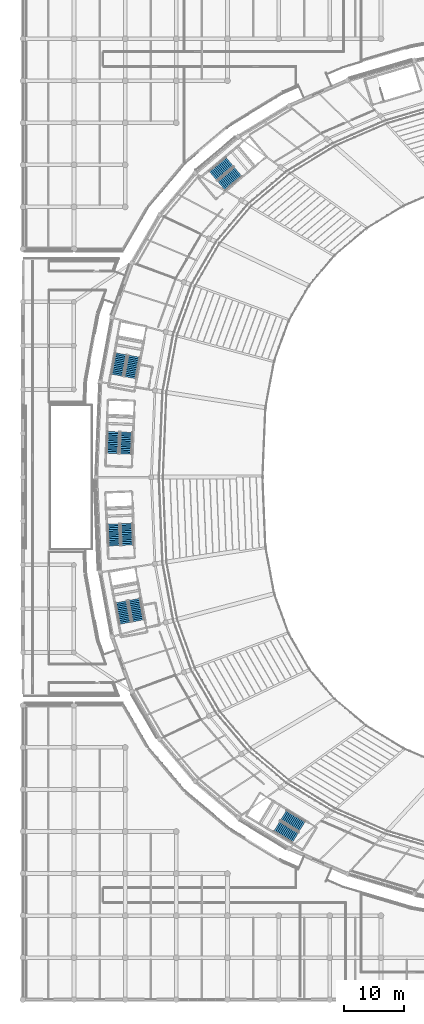
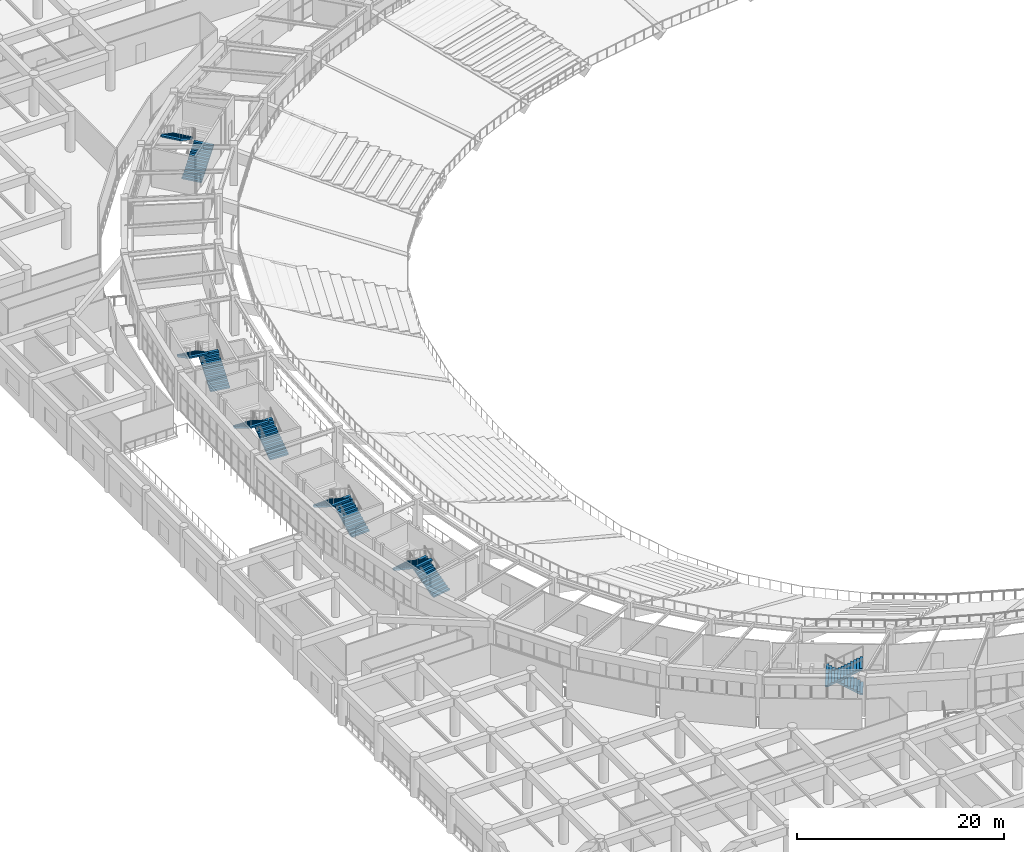
# One storey, part 109 of 137: 12 stair flights, 6 elements without a shape of their own.
"""IFC4 building model written with IfcOpenShell, lengths in metres."""

from ifc_helpers import new_model, si_unit, direction, frame, origin, place, context, subcontext, project, spatial, polyline, outline, extrude, material, type_object, element, aggregate, save


model = new_model("IFC4")

# Units and contexts
model_context = context("Model", 3, precision=1e-05, world=origin(), true_north=direction((0.0, 1.0)))
body_context = subcontext(model_context, "Body", "Model", "MODEL_VIEW")
ifc_project = project(units=[si_unit("LENGTHUNIT", "METRE"), si_unit("AREAUNIT", "SQUARE_METRE"), si_unit("VOLUMEUNIT", "CUBIC_METRE"), si_unit("PLANEANGLEUNIT", "RADIAN"), si_unit("MASSUNIT", "GRAM", prefix="KILO")], contexts=[model_context])

# Site, building, storey
site_placement = place(None, origin())
site = spatial("IfcSite", under=ifc_project, at=site_placement, CompositionType="ELEMENT")
building_placement = place(site_placement, origin())
building = spatial("IfcBuilding", under=site, at=building_placement, Name="Mphavela Belvedere Stadium", CompositionType="ELEMENT")
storey_placement = place(building_placement, frame((0.0, 0.0, 19.199951171875)))
storey = spatial("IfcBuildingStorey", under=building, at=storey_placement, Name="L04", CompositionType="ELEMENT", Elevation=19.199951171875)

# Stair, stair flights
ifc_material_1 = material(Name="Concrete C40/50", Category="concrete")
stair_type_1 = type_object("IfcStairType", Name="STR-HALF-TURN-2", PredefinedType="HALF_TURN_STAIR", material=ifc_material_1)
stair_1_placement = place(storey_placement, origin())
stair_1 = element("IfcStair", 1, at=stair_1_placement, inside=storey, type_object=stair_type_1, Name="L04 Escape stair core C05", PredefinedType="HALF_TURN_STAIR")
ifc_material_2 = material(Name="Concrete C40/50", Category="concrete")
stair_flight_type = type_object("IfcStairFlightType", Name="SFL-CORE-152", PredefinedType="STRAIGHT", material=ifc_material_2)
stair_flight_1_placement = place(storey_placement, frame((33.068115234375, 135.525146484375, 0.0), z_axis=(0.0, 0.0, 1.0), x_axis=(0.764246456939, 0.644924300253, 0.0)))
stair_flight_1 = element("IfcStairFlight", 2, at=stair_flight_1_placement, type_object=stair_flight_type, Name="ST-C05 flight 1", NumberOfRisers=13, NumberOfTreads=12, PredefinedType="STRAIGHT", RiserHeight=0.184615385, TreadLength=0.302, context=body_context, shape_type="SweptSolid", body=[
    extrude(outline(polyline([(0.0, 0.0), (0.0, 0.1845703125), (0.302001953125, 0.1845703125), (0.302001953125, 0.369140625), (0.60400390625, 0.369140625), (0.60400390625, 0.553955078125), (0.906005859375, 0.553955078125), (0.906005859375, 0.738525390625), (1.2080078125, 0.738525390625), (1.2080078125, 0.923095703125), (1.510009765625, 0.923095703125), (1.510009765625, 1.107666015625), (1.81201171875, 1.107666015625), (1.81201171875, 1.292236328125), (2.114013671875, 1.292236328125), (2.114013671875, 1.476806640625), (2.416015625, 1.476806640625), (2.416015625, 1.66162109375), (2.718017578125, 1.66162109375), (2.718017578125, 1.84619140625), (3.02001953125, 1.84619140625), (3.02001953125, 2.03076171875), (3.322021484375, 2.03076171875), (3.322021484375, 2.21533203125), (3.6240234375, 2.21533203125), (3.6240234375, 2.39990234375), (3.6240234375, 2.039794921875), (0.287353515625, 0.0), (0.0, 0.0)])), frame((0.0, 1.010009765625, 0.0), z_axis=(0.0, -1.0, 0.0), x_axis=(1.0, 0.0, 0.0)), (0.0, 0.0, 1.0), 2.02001953125),
])
stair_flight_2_placement = place(storey_placement, frame((34.438232421875, 139.520751953125, 2.400146484375), z_axis=(0.0, 0.0, 1.0), x_axis=(-0.764246456939, -0.644924300253, 0.0)))
stair_flight_2 = element("IfcStairFlight", 3, at=stair_flight_2_placement, type_object=stair_flight_type, Name="ST-C05 flight 2", NumberOfRisers=13, NumberOfTreads=12, PredefinedType="STRAIGHT", RiserHeight=0.184615385, TreadLength=0.302, context=body_context, shape_type="SweptSolid", body=[
    extrude(outline(polyline([(0.0, 0.0), (0.0, 0.1845703125), (0.302001953125, 0.1845703125), (0.302001953125, 0.369140625), (0.60400390625, 0.369140625), (0.60400390625, 0.553955078125), (0.906005859375, 0.553955078125), (0.906005859375, 0.738525390625), (1.2080078125, 0.738525390625), (1.2080078125, 0.923095703125), (1.510009765625, 0.923095703125), (1.510009765625, 1.107666015625), (1.81201171875, 1.107666015625), (1.81201171875, 1.292236328125), (2.114013671875, 1.292236328125), (2.114013671875, 1.476806640625), (2.416015625, 1.476806640625), (2.416015625, 1.66162109375), (2.718017578125, 1.66162109375), (2.718017578125, 1.84619140625), (3.02001953125, 1.84619140625), (3.02001953125, 2.03076171875), (3.322021484375, 2.03076171875), (3.322021484375, 2.21533203125), (3.6240234375, 2.21533203125), (3.6240234375, 2.39990234375), (3.6240234375, 2.039794921875), (0.287353515625, 0.0), (0.0, 0.0)])), frame((0.0, 1.010009765625, 0.0), z_axis=(0.0, -1.0, 0.0), x_axis=(1.0, 0.0, 0.0)), (0.0, 0.0, 1.0), 2.02001953125),
])
aggregate(stair_1, [stair_flight_1, stair_flight_2])

ifc_material_3 = material(Name="Concrete C40/50", Category="concrete")
stair_type_2 = type_object("IfcStairType", Name="STR-HALF-TURN-3", PredefinedType="HALF_TURN_STAIR", material=ifc_material_3)
stair_2_placement = place(storey_placement, origin())
stair_2 = element("IfcStair", 4, at=stair_2_placement, inside=storey, type_object=stair_type_2, Name="L04 Escape stair core C06", PredefinedType="HALF_TURN_STAIR")
stair_flight_3_placement = place(storey_placement, frame((17.851806640625, 103.57861328125, 0.0), z_axis=(0.0, 0.0, 1.0), x_axis=(0.182578735093, 0.983191235463, 0.0)))
stair_flight_3 = element("IfcStairFlight", 5, at=stair_flight_3_placement, type_object=stair_flight_type, Name="ST-C06 flight 1", NumberOfRisers=13, NumberOfTreads=12, PredefinedType="STRAIGHT", RiserHeight=0.184615385, TreadLength=0.302, context=body_context, shape_type="SweptSolid", body=[
    extrude(outline(polyline([(0.0, 0.0), (0.0, 0.1845703125), (0.302001953125, 0.1845703125), (0.302001953125, 0.369140625), (0.60400390625, 0.369140625), (0.60400390625, 0.553955078125), (0.906005859375, 0.553955078125), (0.906005859375, 0.738525390625), (1.2080078125, 0.738525390625), (1.2080078125, 0.923095703125), (1.510009765625, 0.923095703125), (1.510009765625, 1.107666015625), (1.81201171875, 1.107666015625), (1.81201171875, 1.292236328125), (2.114013671875, 1.292236328125), (2.114013671875, 1.476806640625), (2.416015625, 1.476806640625), (2.416015625, 1.66162109375), (2.718017578125, 1.66162109375), (2.718017578125, 1.84619140625), (3.02001953125, 1.84619140625), (3.02001953125, 2.03076171875), (3.322021484375, 2.03076171875), (3.322021484375, 2.21533203125), (3.6240234375, 2.21533203125), (3.6240234375, 2.39990234375), (3.6240234375, 2.039794921875), (0.287353515625, 0.0), (0.0, 0.0)])), frame((0.0, 1.010009765625, 0.0), z_axis=(0.0, -1.0, 0.0), x_axis=(1.0, 0.0, 0.0)), (0.0, 0.0, 1.0), 2.02001953125),
])
stair_flight_4_placement = place(storey_placement, frame((16.3798828125, 107.537841796875, 2.400146484375), z_axis=(0.0, 0.0, 1.0), x_axis=(-0.182578735093, -0.983191235463, 0.0)))
stair_flight_4 = element("IfcStairFlight", 6, at=stair_flight_4_placement, type_object=stair_flight_type, Name="ST-C06 flight 2", NumberOfRisers=13, NumberOfTreads=12, PredefinedType="STRAIGHT", RiserHeight=0.184615385, TreadLength=0.302, context=body_context, shape_type="SweptSolid", body=[
    extrude(outline(polyline([(0.0, 0.0), (0.0, 0.1845703125), (0.302001953125, 0.1845703125), (0.302001953125, 0.369140625), (0.60400390625, 0.369140625), (0.60400390625, 0.553955078125), (0.906005859375, 0.553955078125), (0.906005859375, 0.738525390625), (1.2080078125, 0.738525390625), (1.2080078125, 0.923095703125), (1.510009765625, 0.923095703125), (1.510009765625, 1.107666015625), (1.81201171875, 1.107666015625), (1.81201171875, 1.292236328125), (2.114013671875, 1.292236328125), (2.114013671875, 1.476806640625), (2.416015625, 1.476806640625), (2.416015625, 1.66162109375), (2.718017578125, 1.66162109375), (2.718017578125, 1.84619140625), (3.02001953125, 1.84619140625), (3.02001953125, 2.03076171875), (3.322021484375, 2.03076171875), (3.322021484375, 2.21533203125), (3.6240234375, 2.21533203125), (3.6240234375, 2.39990234375), (3.6240234375, 2.039794921875), (0.287353515625, 0.0), (0.0, 0.0)])), frame((0.0, 1.010009765625, 0.0), z_axis=(0.0, -1.0, 0.0), x_axis=(1.0, 0.0, 0.0)), (0.0, 0.0, 1.0), 2.02001953125),
])
aggregate(stair_2, [stair_flight_3, stair_flight_4])

ifc_material_4 = material(Name="Concrete C40/50", Category="concrete")
stair_type_3 = type_object("IfcStairType", Name="STR-HALF-TURN-1", PredefinedType="HALF_TURN_STAIR", material=ifc_material_4)
stair_3_placement = place(storey_placement, origin())
stair_3 = element("IfcStair", 7, at=stair_3_placement, inside=storey, type_object=stair_type_3, Name="L04 Escape stair core C07", PredefinedType="HALF_TURN_STAIR")
stair_flight_5_placement = place(storey_placement, frame((17.11376953125, 90.86572265625, 0.0), z_axis=(0.0, 0.0, 1.0), x_axis=(0.041875653729, 0.999122830099, 0.0)))
stair_flight_5 = element("IfcStairFlight", 8, at=stair_flight_5_placement, type_object=stair_flight_type, Name="ST-C07 flight 1", NumberOfRisers=13, NumberOfTreads=12, PredefinedType="STRAIGHT", RiserHeight=0.184615385, TreadLength=0.302, context=body_context, shape_type="SweptSolid", body=[
    extrude(outline(polyline([(0.0, 0.0), (0.0, 0.1845703125), (0.302001953125, 0.1845703125), (0.302001953125, 0.369140625), (0.60400390625, 0.369140625), (0.60400390625, 0.553955078125), (0.906005859375, 0.553955078125), (0.906005859375, 0.738525390625), (1.2080078125, 0.738525390625), (1.2080078125, 0.923095703125), (1.510009765625, 0.923095703125), (1.510009765625, 1.107666015625), (1.81201171875, 1.107666015625), (1.81201171875, 1.292236328125), (2.114013671875, 1.292236328125), (2.114013671875, 1.476806640625), (2.416015625, 1.476806640625), (2.416015625, 1.66162109375), (2.718017578125, 1.66162109375), (2.718017578125, 1.84619140625), (3.02001953125, 1.84619140625), (3.02001953125, 2.03076171875), (3.322021484375, 2.03076171875), (3.322021484375, 2.21533203125), (3.6240234375, 2.21533203125), (3.6240234375, 2.39990234375), (3.6240234375, 2.039794921875), (0.287353515625, 0.0), (0.0, 0.0)])), frame((0.0, 1.010009765625, 0.0), z_axis=(0.0, -1.0, 0.0), x_axis=(1.0, 0.0, 0.0)), (0.0, 0.0, 1.0), 2.02001953125),
])
stair_flight_6_placement = place(storey_placement, frame((15.09765625, 94.577392578125, 2.400146484375), z_axis=(0.0, 0.0, 1.0), x_axis=(-0.041875653729, -0.999122830099, 0.0)))
stair_flight_6 = element("IfcStairFlight", 9, at=stair_flight_6_placement, type_object=stair_flight_type, Name="ST-C07 flight 2", NumberOfRisers=13, NumberOfTreads=12, PredefinedType="STRAIGHT", RiserHeight=0.184615385, TreadLength=0.302, context=body_context, shape_type="SweptSolid", body=[
    extrude(outline(polyline([(0.0, 0.0), (0.0, 0.1845703125), (0.302001953125, 0.1845703125), (0.302001953125, 0.369140625), (0.60400390625, 0.369140625), (0.60400390625, 0.553955078125), (0.906005859375, 0.553955078125), (0.906005859375, 0.738525390625), (1.2080078125, 0.738525390625), (1.2080078125, 0.923095703125), (1.510009765625, 0.923095703125), (1.510009765625, 1.107666015625), (1.81201171875, 1.107666015625), (1.81201171875, 1.292236328125), (2.114013671875, 1.292236328125), (2.114013671875, 1.476806640625), (2.416015625, 1.476806640625), (2.416015625, 1.66162109375), (2.718017578125, 1.66162109375), (2.718017578125, 1.84619140625), (3.02001953125, 1.84619140625), (3.02001953125, 2.03076171875), (3.322021484375, 2.03076171875), (3.322021484375, 2.21533203125), (3.6240234375, 2.21533203125), (3.6240234375, 2.39990234375), (3.6240234375, 2.039794921875), (0.287353515625, 0.0), (0.0, 0.0)])), frame((0.0, 1.010009765625, 0.0), z_axis=(0.0, -1.0, 0.0), x_axis=(1.0, 0.0, 0.0)), (0.0, 0.0, 1.0), 2.02001953125),
])
aggregate(stair_3, [stair_flight_5, stair_flight_6])

stair_4_placement = place(storey_placement, origin())
stair_4 = element("IfcStair", 10, at=stair_4_placement, inside=storey, type_object=stair_type_1, Name="L04 Escape stair core C08", PredefinedType="HALF_TURN_STAIR")
stair_flight_7_placement = place(storey_placement, frame((17.42626953125, 75.6806640625, 0.0), z_axis=(0.0, 0.0, 1.0), x_axis=(-0.041875653729, 0.999122830099, 0.0)))
stair_flight_7 = element("IfcStairFlight", 11, at=stair_flight_7_placement, type_object=stair_flight_type, Name="ST-C08 flight 1", NumberOfRisers=13, NumberOfTreads=12, PredefinedType="STRAIGHT", RiserHeight=0.184615385, TreadLength=0.302, context=body_context, shape_type="SweptSolid", body=[
    extrude(outline(polyline([(0.0, 0.0), (0.0, 0.1845703125), (0.302001953125, 0.1845703125), (0.302001953125, 0.369140625), (0.60400390625, 0.369140625), (0.60400390625, 0.553955078125), (0.906005859375, 0.553955078125), (0.906005859375, 0.738525390625), (1.2080078125, 0.738525390625), (1.2080078125, 0.923095703125), (1.510009765625, 0.923095703125), (1.510009765625, 1.107666015625), (1.81201171875, 1.107666015625), (1.81201171875, 1.292236328125), (2.114013671875, 1.292236328125), (2.114013671875, 1.476806640625), (2.416015625, 1.476806640625), (2.416015625, 1.66162109375), (2.718017578125, 1.66162109375), (2.718017578125, 1.84619140625), (3.02001953125, 1.84619140625), (3.02001953125, 2.03076171875), (3.322021484375, 2.03076171875), (3.322021484375, 2.21533203125), (3.6240234375, 2.21533203125), (3.6240234375, 2.39990234375), (3.6240234375, 2.039794921875), (0.287353515625, 0.0), (0.0, 0.0)])), frame((0.0, 1.010009765625, 0.0), z_axis=(0.0, -1.0, 0.0), x_axis=(1.0, 0.0, 0.0)), (0.0, 0.0, 1.0), 2.02001953125),
])
stair_flight_8_placement = place(storey_placement, frame((15.1064453125, 79.210693359375, 2.400146484375), z_axis=(0.0, 0.0, 1.0), x_axis=(0.041875653729, -0.999122830099, 0.0)))
stair_flight_8 = element("IfcStairFlight", 12, at=stair_flight_8_placement, type_object=stair_flight_type, Name="ST-C08 flight 2", NumberOfRisers=13, NumberOfTreads=12, PredefinedType="STRAIGHT", RiserHeight=0.184615385, TreadLength=0.302, context=body_context, shape_type="SweptSolid", body=[
    extrude(outline(polyline([(0.0, 0.0), (0.0, 0.1845703125), (0.302001953125, 0.1845703125), (0.302001953125, 0.369140625), (0.60400390625, 0.369140625), (0.60400390625, 0.553955078125), (0.906005859375, 0.553955078125), (0.906005859375, 0.738525390625), (1.2080078125, 0.738525390625), (1.2080078125, 0.923095703125), (1.510009765625, 0.923095703125), (1.510009765625, 1.107666015625), (1.81201171875, 1.107666015625), (1.81201171875, 1.292236328125), (2.114013671875, 1.292236328125), (2.114013671875, 1.476806640625), (2.416015625, 1.476806640625), (2.416015625, 1.66162109375), (2.718017578125, 1.66162109375), (2.718017578125, 1.84619140625), (3.02001953125, 1.84619140625), (3.02001953125, 2.03076171875), (3.322021484375, 2.03076171875), (3.322021484375, 2.21533203125), (3.6240234375, 2.21533203125), (3.6240234375, 2.39990234375), (3.6240234375, 2.039794921875), (0.287353515625, 0.0), (0.0, 0.0)])), frame((0.0, 1.010009765625, 0.0), z_axis=(0.0, -1.0, 0.0), x_axis=(1.0, 0.0, 0.0)), (0.0, 0.0, 1.0), 2.02001953125),
])
aggregate(stair_4, [stair_flight_7, stair_flight_8])

stair_5_placement = place(storey_placement, origin())
stair_5 = element("IfcStair", 13, at=stair_5_placement, inside=storey, type_object=stair_type_2, Name="L04 Escape stair core C09", PredefinedType="HALF_TURN_STAIR")
stair_flight_9_placement = place(storey_placement, frame((19.2138671875, 63.0869140625, 0.0), z_axis=(0.0, 0.0, 1.0), x_axis=(-0.182578735093, 0.983191235463, 0.0)))
stair_flight_9 = element("IfcStairFlight", 14, at=stair_flight_9_placement, type_object=stair_flight_type, Name="ST-C09 flight 1", NumberOfRisers=13, NumberOfTreads=12, PredefinedType="STRAIGHT", RiserHeight=0.184615385, TreadLength=0.302, context=body_context, shape_type="SweptSolid", body=[
    extrude(outline(polyline([(0.0, 0.0), (0.0, 0.1845703125), (0.302001953125, 0.1845703125), (0.302001953125, 0.369140625), (0.60400390625, 0.369140625), (0.60400390625, 0.553955078125), (0.906005859375, 0.553955078125), (0.906005859375, 0.738525390625), (1.2080078125, 0.738525390625), (1.2080078125, 0.923095703125), (1.510009765625, 0.923095703125), (1.510009765625, 1.107666015625), (1.81201171875, 1.107666015625), (1.81201171875, 1.292236328125), (2.114013671875, 1.292236328125), (2.114013671875, 1.476806640625), (2.416015625, 1.476806640625), (2.416015625, 1.66162109375), (2.718017578125, 1.66162109375), (2.718017578125, 1.84619140625), (3.02001953125, 1.84619140625), (3.02001953125, 2.03076171875), (3.322021484375, 2.03076171875), (3.322021484375, 2.21533203125), (3.6240234375, 2.21533203125), (3.6240234375, 2.39990234375), (3.6240234375, 2.039794921875), (0.287353515625, 0.0), (0.0, 0.0)])), frame((0.0, 1.010009765625, 0.0), z_axis=(0.0, -1.0, 0.0), x_axis=(1.0, 0.0, 0.0)), (0.0, 0.0, 1.0), 2.02001953125),
])
stair_flight_10_placement = place(storey_placement, frame((16.41845703125, 66.253662109375, 2.400146484375), z_axis=(0.0, 0.0, 1.0), x_axis=(0.182578735093, -0.983191235463, 0.0)))
stair_flight_10 = element("IfcStairFlight", 15, at=stair_flight_10_placement, type_object=stair_flight_type, Name="ST-C09 flight 2", NumberOfRisers=13, NumberOfTreads=12, PredefinedType="STRAIGHT", RiserHeight=0.184615385, TreadLength=0.302, context=body_context, shape_type="SweptSolid", body=[
    extrude(outline(polyline([(0.0, 0.0), (0.0, 0.1845703125), (0.302001953125, 0.1845703125), (0.302001953125, 0.369140625), (0.60400390625, 0.369140625), (0.60400390625, 0.553955078125), (0.906005859375, 0.553955078125), (0.906005859375, 0.738525390625), (1.2080078125, 0.738525390625), (1.2080078125, 0.923095703125), (1.510009765625, 0.923095703125), (1.510009765625, 1.107666015625), (1.81201171875, 1.107666015625), (1.81201171875, 1.292236328125), (2.114013671875, 1.292236328125), (2.114013671875, 1.476806640625), (2.416015625, 1.476806640625), (2.416015625, 1.66162109375), (2.718017578125, 1.66162109375), (2.718017578125, 1.84619140625), (3.02001953125, 1.84619140625), (3.02001953125, 2.03076171875), (3.322021484375, 2.03076171875), (3.322021484375, 2.21533203125), (3.6240234375, 2.21533203125), (3.6240234375, 2.39990234375), (3.6240234375, 2.039794921875), (0.287353515625, 0.0), (0.0, 0.0)])), frame((0.0, 1.010009765625, 0.0), z_axis=(0.0, -1.0, 0.0), x_axis=(1.0, 0.0, 0.0)), (0.0, 0.0, 1.0), 2.02001953125),
])
aggregate(stair_5, [stair_flight_9, stair_flight_10])

stair_6_placement = place(storey_placement, origin())
stair_6 = element("IfcStair", 16, at=stair_6_placement, inside=storey, type_object=stair_type_3, Name="L04 Escape stair core C10", PredefinedType="HALF_TURN_STAIR")
stair_flight_11_placement = place(storey_placement, frame((46.510498046875, 28.82666015625, 0.0), z_axis=(0.0, 0.0, 1.0), x_axis=(-0.854368143929, 0.519668235165, 0.0)))
stair_flight_11 = element("IfcStairFlight", 17, at=stair_flight_11_placement, type_object=stair_flight_type, Name="ST-C10 flight 1", NumberOfRisers=13, NumberOfTreads=12, PredefinedType="STRAIGHT", RiserHeight=0.184615385, TreadLength=0.302, context=body_context, shape_type="SweptSolid", body=[
    extrude(outline(polyline([(0.0, 0.0), (0.0, 0.1845703125), (0.302001953125, 0.1845703125), (0.302001953125, 0.369140625), (0.60400390625, 0.369140625), (0.60400390625, 0.553955078125), (0.906005859375, 0.553955078125), (0.906005859375, 0.738525390625), (1.2080078125, 0.738525390625), (1.2080078125, 0.923095703125), (1.510009765625, 0.923095703125), (1.510009765625, 1.107666015625), (1.81201171875, 1.107666015625), (1.81201171875, 1.292236328125), (2.114013671875, 1.292236328125), (2.114013671875, 1.476806640625), (2.416015625, 1.476806640625), (2.416015625, 1.66162109375), (2.718017578125, 1.66162109375), (2.718017578125, 1.84619140625), (3.02001953125, 1.84619140625), (3.02001953125, 2.03076171875), (3.322021484375, 2.03076171875), (3.322021484375, 2.21533203125), (3.6240234375, 2.21533203125), (3.6240234375, 2.39990234375), (3.6240234375, 2.039794921875), (0.287353515625, 0.0), (0.0, 0.0)])), frame((0.0, 1.010009765625, 0.0), z_axis=(0.0, -1.0, 0.0), x_axis=(1.0, 0.0, 0.0)), (0.0, 0.0, 1.0), 2.02001953125),
])
stair_flight_12_placement = place(storey_placement, frame((42.28662109375, 28.85595703125, 2.400146484375), z_axis=(0.0, 0.0, 1.0), x_axis=(0.854368143929, -0.519668235165, 0.0)))
stair_flight_12 = element("IfcStairFlight", 18, at=stair_flight_12_placement, type_object=stair_flight_type, Name="ST-C10 flight 2", NumberOfRisers=13, NumberOfTreads=12, PredefinedType="STRAIGHT", RiserHeight=0.184615385, TreadLength=0.302, context=body_context, shape_type="SweptSolid", body=[
    extrude(outline(polyline([(0.0, 0.0), (0.0, 0.1845703125), (0.302001953125, 0.1845703125), (0.302001953125, 0.369140625), (0.60400390625, 0.369140625), (0.60400390625, 0.553955078125), (0.906005859375, 0.553955078125), (0.906005859375, 0.738525390625), (1.2080078125, 0.738525390625), (1.2080078125, 0.923095703125), (1.510009765625, 0.923095703125), (1.510009765625, 1.107666015625), (1.81201171875, 1.107666015625), (1.81201171875, 1.292236328125), (2.114013671875, 1.292236328125), (2.114013671875, 1.476806640625), (2.416015625, 1.476806640625), (2.416015625, 1.66162109375), (2.718017578125, 1.66162109375), (2.718017578125, 1.84619140625), (3.02001953125, 1.84619140625), (3.02001953125, 2.03076171875), (3.322021484375, 2.03076171875), (3.322021484375, 2.21533203125), (3.6240234375, 2.21533203125), (3.6240234375, 2.39990234375), (3.6240234375, 2.039794921875), (0.287353515625, 0.0), (0.0, 0.0)])), frame((0.0, 1.010009765625, 0.0), z_axis=(0.0, -1.0, 0.0), x_axis=(1.0, 0.0, 0.0)), (0.0, 0.0, 1.0), 2.02001953125),
])
aggregate(stair_6, [stair_flight_11, stair_flight_12])

save(model, "model.ifc")
